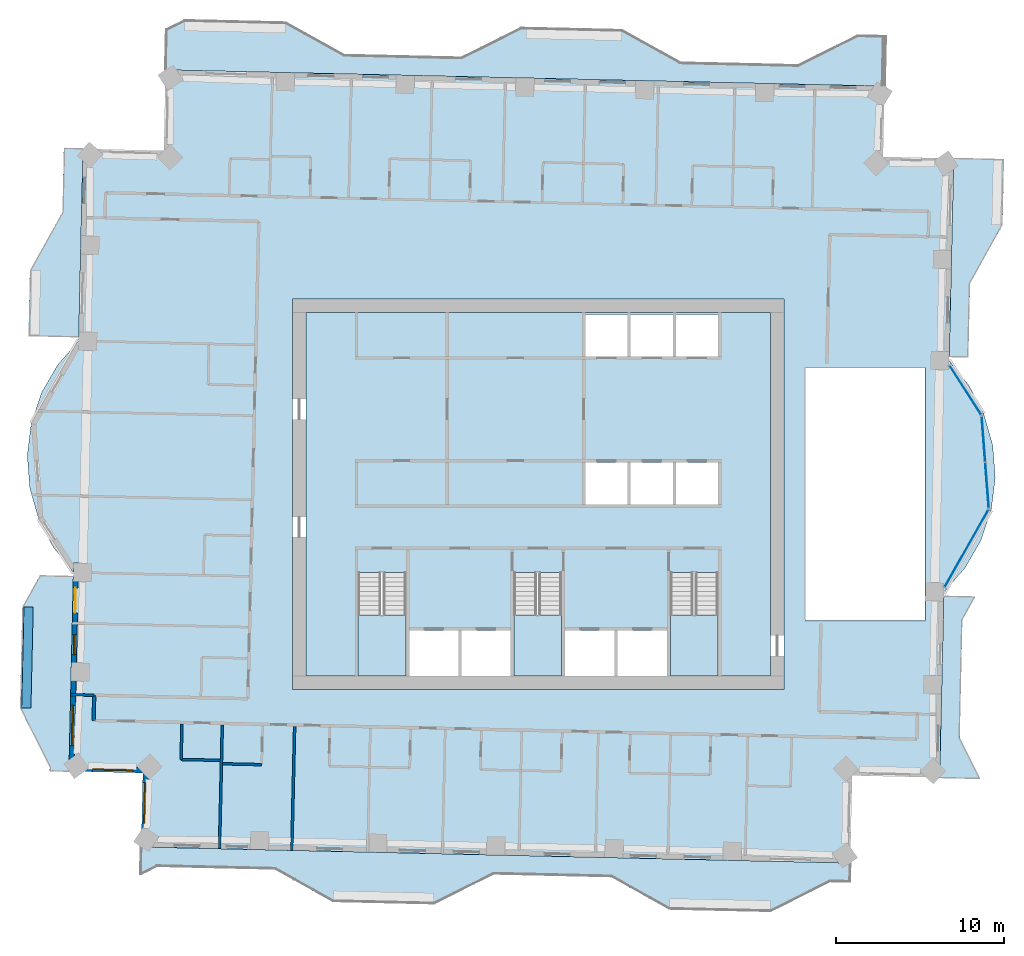
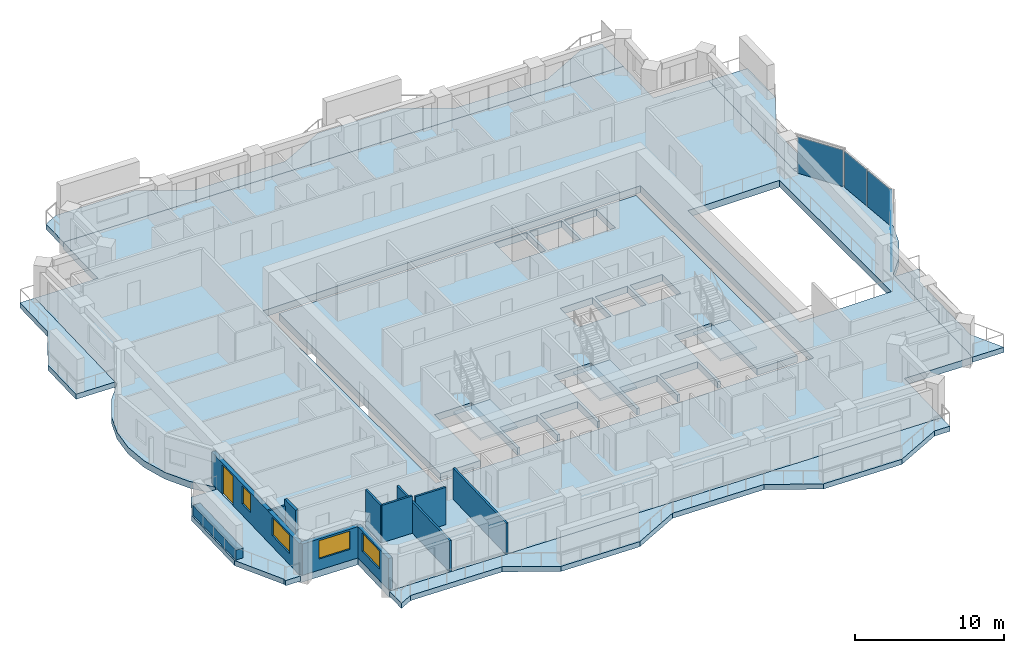
# One storey, part 5 of 16: 11 slabs, 11 walls, 4 plates, 4 windows, 1 door, 5 openings, 6 elements without a shape of their own.
"""IFC4 building model written with IfcOpenShell, lengths in metres."""

from ifc_helpers import new_model, si_unit, direction, frame, frame_2d, origin, origin_2d, place, context, subcontext, project, spatial, polyline, rectangle, outline, extrude, material, layer, layer_set, type_object, element, fill, aggregate, save


model = new_model("IFC4")

# Units and contexts
model_context = context("Model", 3, precision=1e-05, world=origin(), true_north=direction((0.0, 1.0)))
body_context = subcontext(model_context, "Body", "Model", "MODEL_VIEW")
ifc_project = project(units=[si_unit("LENGTHUNIT", "METRE"), si_unit("AREAUNIT", "SQUARE_METRE"), si_unit("VOLUMEUNIT", "CUBIC_METRE"), si_unit("PLANEANGLEUNIT", "RADIAN"), si_unit("MASSUNIT", "GRAM", prefix="KILO")], contexts=[model_context])

# Site, building, storey
site_placement = place(None, origin())
site = spatial("IfcSite", under=ifc_project, at=site_placement, CompositionType="ELEMENT")
building_placement = place(site_placement, origin())
building = spatial("IfcBuilding", under=site, at=building_placement, Name="Mangrove Gate Tower", CompositionType="ELEMENT")
storey_placement = place(building_placement, frame((0.0, 0.0, 212.300048828125)))
storey = spatial("IfcBuildingStorey", under=building, at=storey_placement, Name="L54", CompositionType="ELEMENT", Elevation=212.300048828125)

# Curtain wall, plate
ifc_material_1 = material(Name="Aluminium and glass curtain wall", Category="aluminium")
curtain_wall_type = type_object("IfcCurtainWallType", Name="Atrium garden-court glazing wall", PredefinedType="NOTDEFINED", material=ifc_material_1)
curtain_wall_1_placement = place(storey_placement, origin())
curtain_wall_1 = element("IfcCurtainWall", 1, at=curtain_wall_1_placement, inside=storey, type_object=curtain_wall_type, Name="Atrium garden-court glazing E1f1", PredefinedType="NOTDEFINED")
ifc_material_2 = material(Name="Laminated low-e glass", Category="glass")
ifc_layer_1 = layer(ifc_material_2, 0.031982421875)
ifc_layer_set_1 = layer_set([ifc_layer_1], Name="Atrium garden-court glazing panel 32")
plate_type = type_object("IfcPlateType", Name="Atrium garden-court glazing panel 32", PredefinedType="CURTAIN_PANEL", material=ifc_layer_set_1)
plate_1_placement = place(storey_placement, frame((25.4541015625, -3.217041015625, 0.0), z_axis=(0.0, 0.0, 1.0), x_axis=(0.492599932635, 0.870255885569, 0.0)))
plate_1 = element("IfcPlate", 2, at=plate_1_placement, type_object=plate_type, Name="CWA panel 1.1", PredefinedType="CURTAIN_PANEL", context=body_context, shape_type="SweptSolid", body=[
    extrude(rectangle(XDim=5.258544921875, YDim=0.031982421875, at=origin_2d()), origin(), (0.0, 0.0, 1.0), 2.97998046875),
])
aggregate(curtain_wall_1, [plate_1])

# Curtain wall, plates
curtain_wall_2_placement = place(storey_placement, origin())
curtain_wall_2 = element("IfcCurtainWall", 3, at=curtain_wall_2_placement, inside=storey, type_object=curtain_wall_type, Name="Atrium garden-court glazing E1f2", PredefinedType="NOTDEFINED")
plate_2_placement = place(storey_placement, frame((26.67529296875, 0.538818359375, 0.0), z_axis=(0.0, 0.0, 1.0), x_axis=(-0.077023348229, 0.997029289353, 0.0)))
plate_2 = element("IfcPlate", 4, at=plate_2_placement, type_object=plate_type, Name="CWA panel 1.1", PredefinedType="CURTAIN_PANEL", context=body_context, shape_type="SweptSolid", body=[
    extrude(rectangle(XDim=2.681640625, YDim=0.031982421875, at=origin_2d()), origin(), (0.0, 0.0, 1.0), 2.97998046875),
])
plate_3_placement = place(storey_placement, frame((26.463134765625, 3.2822265625, 0.0), z_axis=(0.0, 0.0, 1.0), x_axis=(-0.077023348229, 0.997029289353, 0.0)))
plate_3 = element("IfcPlate", 5, at=plate_3_placement, type_object=plate_type, Name="CWA panel 2.1", PredefinedType="CURTAIN_PANEL", context=body_context, shape_type="SweptSolid", body=[
    extrude(rectangle(XDim=2.681640625, YDim=0.031982421875, at=origin_2d()), origin(), (0.0, 0.0, 1.0), 2.97998046875),
])
aggregate(curtain_wall_2, [plate_2, plate_3])

# Curtain wall, plate
curtain_wall_3_placement = place(storey_placement, origin())
curtain_wall_3 = element("IfcCurtainWall", 6, at=curtain_wall_3_placement, inside=storey, type_object=curtain_wall_type, Name="Atrium garden-court glazing E1f3", PredefinedType="NOTDEFINED")
plate_4_placement = place(storey_placement, frame((25.389892578125, 6.190185546875, 0.0), z_axis=(0.0, 0.0, 1.0), x_axis=(-0.540523066602, 0.841329195067, 0.0)))
plate_4 = element("IfcPlate", 7, at=plate_4_placement, type_object=plate_type, Name="CWA panel 1.1", PredefinedType="CURTAIN_PANEL", context=body_context, shape_type="SweptSolid", body=[
    extrude(rectangle(XDim=3.428955078125, YDim=0.031982421875, at=origin_2d()), origin(), (0.0, 0.0, 1.0), 2.97998046875),
])
aggregate(curtain_wall_3, [plate_4])

# Slabs
ifc_material_3 = material(Name="Porcelain tile")
ifc_layer_2 = layer(ifc_material_3, 0.02001953125, Name="Tile finish")
ifc_material_4 = material(Name="Cement sand screed")
ifc_layer_3 = layer(ifc_material_4, 0.0400390625, Name="Screed laid to falls")
ifc_material_5 = material(Name="Bituminous waterproofing membrane")
ifc_layer_4 = layer(ifc_material_5, 0.00390625, Name="Waterproofing")
ifc_material_6 = material(Name="Concrete C40/50", Category="concrete")
ifc_layer_5 = layer(ifc_material_6, 0.340087890625, Name="Balcony structural slab")
ifc_material_7 = material(Name="Limestone", Category="masonry")
ifc_layer_6 = layer(ifc_material_7, 0.01611328125, Name="Soffit lining")
ifc_layer_set_2 = layer_set([ifc_layer_2, ifc_layer_3, ifc_layer_4, ifc_layer_5, ifc_layer_6], Name="Balcony slab 420 C40/50")
slab_type_1 = type_object("IfcSlabType", Name="Balcony slab 420 C40/50", PredefinedType="FLOOR", material=ifc_layer_set_2)
slab_1_placement = place(storey_placement, frame((0.0, 0.0, -0.420166015625)))
element("IfcSlab", 8, at=slab_1_placement, inside=storey, type_object=slab_type_1, Name="BALCONY L54 E0", PredefinedType="FLOOR", context=body_context, shape_type="SweptSolid", body=[
    extrude(outline(polyline([(26.26708984375, -16.886962890625), (25.052978515625, -14.458984375), (25.2119140625, -7.4609375), (25.969970703125, -6.10302734375), (24.10400390625, -6.06005859375), (24.072021484375, -7.43505859375), (23.9140625, -14.43310546875), (23.85888671875, -16.83203125), (26.26708984375, -16.886962890625)])), origin(), (0.0, 0.0, 1.0), 0.420166015625),
])
slab_2_placement = place(storey_placement, frame((0.0, 0.0, -0.420166015625)))
element("IfcSlab", 9, at=slab_2_placement, inside=storey, type_object=slab_type_1, Name="BALCONY L54 E1", PredefinedType="FLOOR", context=body_context, shape_type="SweptSolid", body=[
    extrude(outline(polyline([(25.56689453125, 8.160888671875), (25.666015625, 12.533935546875), (27.594970703125, 15.990966796875), (27.68310546875, 19.889892578125), (24.694091796875, 19.9580078125), (24.60595703125, 16.05908203125), (24.52587890625, 12.56005859375), (24.427001953125, 8.18701171875), (25.56689453125, 8.160888671875)])), origin(), (0.0, 0.0, 1.0), 0.420166015625),
])
slab_3_placement = place(storey_placement, frame((0.0, 0.0, -0.420166015625)))
element("IfcSlab", 10, at=slab_3_placement, inside=storey, type_object=slab_type_1, Name="BALCONY L54 N0", PredefinedType="FLOOR", context=body_context, shape_type="SweptSolid", body=[
    extrude(outline(polyline([(20.657958984375, 27.241943359375), (18.987060546875, 27.280029296875), (15.446044921875, 25.509033203125), (8.447021484375, 25.66796875), (4.989990234375, 27.596923828125), (-1.008056640625, 27.73291015625), (-4.549072265625, 25.964111328125), (-11.547119140625, 26.1220703125), (-15.00390625, 28.051025390625), (-21.0029296875, 28.18701171875), (-22.087890625, 27.64501953125), (-22.14208984375, 25.221923828125), (-4.574951171875, 24.822998046875), (8.422119140625, 24.529052734375), (20.590087890625, 24.251953125), (20.657958984375, 27.241943359375)])), origin(), (0.0, 0.0, 1.0), 0.420166015625),
])
slab_4_placement = place(storey_placement, frame((0.0, 0.0, -0.420166015625)))
element("IfcSlab", 11, at=slab_4_placement, inside=storey, type_object=slab_type_1, Name="BALCONY L54 W0", PredefinedType="FLOOR", context=body_context, shape_type="SweptSolid", body=[
    extrude(outline(polyline([(-28.18994140625, 20.55810546875), (-28.27587890625, 16.759033203125), (-30.205078125, 13.302001953125), (-30.29296875, 9.427978515625), (-27.303955078125, 9.360107421875), (-27.216064453125, 13.23388671875), (-27.135986328125, 16.73291015625), (-27.050048828125, 20.531982421875), (-28.18994140625, 20.55810546875)])), origin(), (0.0, 0.0, 1.0), 0.420166015625),
])
slab_5_placement = place(storey_placement, frame((0.0, 0.0, -0.420166015625)))
element("IfcSlab", 12, at=slab_5_placement, inside=storey, type_object=slab_type_1, Name="BALCONY L54 W1", PredefinedType="FLOOR", context=body_context, shape_type="SweptSolid", body=[
    extrude(outline(polyline([(-29.6259765625, -4.841064453125), (-30.658935546875, -6.693115234375), (-30.794921875, -12.69091796875), (-29.02490234375, -16.23193359375), (-29.029052734375, -16.431884765625), (-27.889892578125, -16.4580078125), (-27.885009765625, -16.258056640625), (-27.805908203125, -12.759033203125), (-27.669921875, -6.760986328125), (-27.626953125, -4.886962890625), (-29.6259765625, -4.841064453125)])), origin(), (0.0, 0.0, 1.0), 0.420166015625),
])
slab_6_placement = place(storey_placement, frame((0.0, 0.0, -0.420166015625)))
element("IfcSlab", 13, at=slab_6_placement, inside=storey, type_object=slab_type_1, Name="BALCONY L54 S0", PredefinedType="FLOOR", context=body_context, shape_type="SweptSolid", body=[
    extrude(outline(polyline([(-23.6279296875, -22.610107421875), (-22.64501953125, -22.118896484375), (-15.64599609375, -22.277099609375), (-12.18896484375, -24.2060546875), (-6.19091796875, -24.343017578125), (-2.64990234375, -22.572021484375), (-2.550048828125, -22.574951171875), (4.347900390625, -22.73095703125), (7.805908203125, -24.659912109375), (13.803955078125, -24.7958984375), (17.344970703125, -23.027099609375), (18.51708984375, -23.052978515625), (18.54296875, -21.9130859375), (-23.591064453125, -20.95703125), (-23.6279296875, -22.610107421875)])), origin(), (0.0, 0.0, 1.0), 0.420166015625),
])
ifc_material_8 = material(Name="Concrete C40/50", Category="concrete")
ifc_layer_7 = layer(ifc_material_8, 0.550048828125)
ifc_layer_set_3 = layer_set([ifc_layer_7], Name="Core floor slab 550 C40/50")
slab_type_2 = type_object("IfcSlabType", Name="Core floor slab 550 C40/50", PredefinedType="FLOOR", material=ifc_layer_set_3)
slab_7_placement = place(storey_placement, frame((0.0, 0.0, -0.550048828125)))
element("IfcSlab", 14, at=slab_7_placement, inside=storey, type_object=slab_type_2, Name="SLAB-L54-CORE-1", PredefinedType="FLOOR", context=body_context, shape_type="SweptSolid", body=[
    extrude(outline(polyline([(-13.800048828125, -10.800048828125), (-13.800048828125, 10.800048828125), (13.800048828125, 10.800048828125), (13.800048828125, -10.800048828125), (10.699951171875, -10.800048828125), (10.699951171875, -4.653076171875), (7.85009765625, -4.653076171875), (7.85009765625, -10.800048828125), (7.64990234375, -10.800048828125), (7.64990234375, -8.10009765625), (4.72509765625, -8.10009765625), (4.72509765625, -10.800048828125), (4.52490234375, -10.800048828125), (4.52490234375, -8.10009765625), (1.60009765625, -8.10009765625), (1.60009765625, -10.800048828125), (1.39990234375, -10.800048828125), (1.39990234375, -4.653076171875), (-1.449951171875, -4.653076171875), (-1.449951171875, -10.800048828125), (-1.64990234375, -10.800048828125), (-1.64990234375, -8.10009765625), (-4.550048828125, -8.10009765625), (-4.550048828125, -10.800048828125), (-4.75, -10.800048828125), (-4.75, -8.10009765625), (-7.64990234375, -8.10009765625), (-7.64990234375, -10.800048828125), (-7.85009765625, -10.800048828125), (-7.85009765625, -4.653076171875), (-10.699951171875, -4.653076171875), (-10.699951171875, -10.800048828125), (-13.800048828125, -10.800048828125)]), holes=[polyline([(5.300048828125, -0.60009765625), (5.300048828125, 1.89990234375), (2.800048828125, 1.89990234375), (2.800048828125, -0.60009765625), (5.300048828125, -0.60009765625)]), polyline([(5.300048828125, 10.699951171875), (2.800048828125, 10.699951171875), (2.800048828125, 8.199951171875), (5.300048828125, 8.199951171875), (5.300048828125, 10.699951171875)]), polyline([(8.0, -0.60009765625), (8.0, 1.89990234375), (5.5, 1.89990234375), (5.5, -0.60009765625), (8.0, -0.60009765625)]), polyline([(10.699951171875, -0.60009765625), (10.699951171875, 1.89990234375), (8.199951171875, 1.89990234375), (8.199951171875, -0.60009765625), (10.699951171875, -0.60009765625)]), polyline([(8.0, 8.199951171875), (8.0, 10.699951171875), (5.5, 10.699951171875), (5.5, 8.199951171875), (8.0, 8.199951171875)]), polyline([(10.699951171875, 8.199951171875), (10.699951171875, 10.699951171875), (8.199951171875, 10.699951171875), (8.199951171875, 8.199951171875), (10.699951171875, 8.199951171875)])]), origin(), (0.0, 0.0, 1.0), 0.550048828125),
])

# Stair, slab
ifc_material_9 = material(Name="Concrete C40/50", Category="concrete")
stair_type = type_object("IfcStairType", Name="Core stair 1350", PredefinedType="HALF_TURN_STAIR", material=ifc_material_9)
stair_1_placement = place(storey_placement, origin())
stair_1 = element("IfcStair", 15, at=stair_1_placement, inside=storey, type_object=stair_type, Name="L54 Stair 1", PredefinedType="HALF_TURN_STAIR")
ifc_material_10 = material(Name="Concrete C40/50", Category="concrete")
ifc_layer_8 = layer(ifc_material_10, 0.199951171875)
ifc_layer_set_4 = layer_set([ifc_layer_8], Name="Core stair landing 200")
slab_type_3 = type_object("IfcSlabType", Name="Core stair landing 200", PredefinedType="LANDING", material=ifc_layer_set_4)
slab_8_placement = place(storey_placement, frame((0.0, 0.0, 1.599853515625)))
slab_8 = element("IfcSlab", 16, at=slab_8_placement, type_object=slab_type_3, Name="ST1 landing 1", PredefinedType="LANDING", context=body_context, shape_type="SweptSolid", body=[
    extrude(outline(polyline([(-10.699951171875, -7.169921875), (-10.699951171875, -10.800048828125), (-7.85009765625, -10.800048828125), (-7.85009765625, -7.169921875), (-10.699951171875, -7.169921875)])), origin(), (0.0, 0.0, 1.0), 0.2001953125),
])
aggregate(stair_1, [slab_8])

stair_2_placement = place(storey_placement, origin())
stair_2 = element("IfcStair", 17, at=stair_2_placement, inside=storey, type_object=stair_type, Name="L54 Stair 2", PredefinedType="HALF_TURN_STAIR")
slab_9_placement = place(storey_placement, frame((0.0, 0.0, 1.599853515625)))
slab_9 = element("IfcSlab", 18, at=slab_9_placement, type_object=slab_type_3, Name="ST2 landing 1", PredefinedType="LANDING", context=body_context, shape_type="SweptSolid", body=[
    extrude(outline(polyline([(-1.449951171875, -7.169921875), (-1.449951171875, -10.800048828125), (1.39990234375, -10.800048828125), (1.39990234375, -7.169921875), (-1.449951171875, -7.169921875)])), origin(), (0.0, 0.0, 1.0), 0.2001953125),
])
aggregate(stair_2, [slab_9])

stair_3_placement = place(storey_placement, origin())
stair_3 = element("IfcStair", 19, at=stair_3_placement, inside=storey, type_object=stair_type, Name="L54 Stair 3", PredefinedType="HALF_TURN_STAIR")
slab_10_placement = place(storey_placement, frame((0.0, 0.0, 1.599853515625)))
slab_10 = element("IfcSlab", 20, at=slab_10_placement, type_object=slab_type_3, Name="ST3 landing 1", PredefinedType="LANDING", context=body_context, shape_type="SweptSolid", body=[
    extrude(outline(polyline([(7.85009765625, -7.169921875), (7.85009765625, -10.800048828125), (10.699951171875, -10.800048828125), (10.699951171875, -7.169921875), (7.85009765625, -7.169921875)])), origin(), (0.0, 0.0, 1.0), 0.2001953125),
])
aggregate(stair_3, [slab_10])

# Slab
ifc_material_11 = material(Name="Concrete C40/50", Category="concrete")
ifc_layer_9 = layer(ifc_material_11, 0.550048828125)
ifc_layer_set_5 = layer_set([ifc_layer_9], Name="Floor slab 550 C40/50")
slab_type_4 = type_object("IfcSlabType", Name="Floor slab 550 C40/50", PredefinedType="FLOOR", material=ifc_layer_set_5)
slab_11_placement = place(storey_placement, frame((0.0, 0.0, -0.550048828125)))
element("IfcSlab", 21, at=slab_11_placement, inside=storey, type_object=slab_type_4, Name="Floor slab L54", PredefinedType="FLOOR", context=body_context, shape_type="SweptSolid", body=[
    extrude(outline(polyline([(-23.590576171875, -20.95703125), (18.54248046875, -21.9130859375), (18.66064453125, -16.71435546875), (23.859130859375, -16.832275390625), (24.109375, -5.810546875), (25.372314453125, -4.3740234375), (26.325439453125, -2.715576171875), (26.930908203125, -0.901123046875), (27.16455078125, 0.997314453125), (27.017333984375, 2.904296875), (26.494873046875, 4.744384765625), (25.617919921875, 6.4443359375), (24.42138671875, 7.9365234375), (24.694091796875, 19.958251953125), (20.4951171875, 20.053466796875), (20.590576171875, 24.25244140625), (-22.142578125, 25.22216796875), (-22.25146484375, 20.42333984375), (-27.050048828125, 20.5322265625), (-27.309326171875, 9.110595703125), (-28.572265625, 7.674072265625), (-29.525390625, 6.015625), (-30.130859375, 4.201171875), (-30.364501953125, 2.302734375), (-30.21728515625, 0.395751953125), (-29.69482421875, -1.4443359375), (-28.81787109375, -3.144287109375), (-27.621337890625, -4.636474609375), (-27.8896484375, -16.458251953125), (-23.49072265625, -16.55810546875), (-23.590576171875, -20.95703125)]), holes=[polyline([(15.89990234375, 7.5), (22.9951171875, 7.5), (22.9951171875, -7.5), (15.89990234375, -7.5), (15.89990234375, 7.5)]), polyline([(-14.60009765625, -11.60009765625), (-14.60009765625, 11.60009765625), (14.60009765625, 11.60009765625), (14.60009765625, -11.60009765625), (-14.60009765625, -11.60009765625)])]), origin(), (0.0, 0.0, 1.0), 0.550048828125),
])

# Wall
ifc_material_12 = material(Name="Gypsum board on steel stud, EI 60", Category="steel")
ifc_layer_10 = layer(ifc_material_12, 0.199951171875)
ifc_layer_set_6 = layer_set([ifc_layer_10], Name="Corridor wall EI 60")
wall_type_1 = type_object("IfcWallType", Name="Corridor wall EI 60", PredefinedType="PARTITIONING", material=ifc_layer_set_6)
wall_1_placement = place(storey_placement, frame((-26.4189453125, -13.44091796875, 0.0), z_axis=(0.0, 0.0, 1.0), x_axis=(0.022617910375, 0.999744182344, 0.0)))
element("IfcWall", 22, at=wall_1_placement, inside=storey, type_object=wall_type_1, Name="WALL-L54-025", PredefinedType="PARTITIONING", context=body_context, shape_type="SweptSolid", body=[
    extrude(rectangle(XDim=1.50048828125, YDim=0.199951171875, at=frame_2d((0.750244140625, 0.0))), origin(), (0.0, 0.0, 1.0), 3.050048828125),
])

# Wall, openings, door, windows
ifc_layer_11 = layer(ifc_material_7, 0.0400390625, Name="Limestone cladding")
ifc_material_13 = material(Name="Ventilated air gap")
ifc_layer_12 = layer(ifc_material_13, 0.0400390625, Name="Ventilated cavity")
ifc_material_14 = material(Name="Mineral wool insulation")
ifc_layer_13 = layer(ifc_material_14, 0.06005859375, Name="Insulation")
ifc_material_15 = material(Name="Breather membrane")
ifc_layer_14 = layer(ifc_material_15, 0.001953125, Name="Breather membrane")
ifc_material_16 = material(Name="Concrete C20/25 blockwork", Category="masonry")
ifc_layer_15 = layer(ifc_material_16, 0.14990234375, Name="Blockwork backing wall")
ifc_material_17 = material(Name="Gypsum plaster")
ifc_layer_16 = layer(ifc_material_17, 0.008056640625, Name="Internal plaster")
ifc_layer_set_7 = layer_set([ifc_layer_11, ifc_layer_12, ifc_layer_13, ifc_layer_14, ifc_layer_15, ifc_layer_16], Name="External wall 300 limestone cladding")
wall_type_2 = type_object("IfcWallType", Name="External wall 300 limestone cladding", PredefinedType="SOLIDWALL", material=ifc_layer_set_7)
wall_2_placement = place(storey_placement, frame((-27.458984375, -4.091064453125, 0.0), z_axis=(0.0, 0.0, 1.0), x_axis=(-0.022668325129, -0.999743040504, 0.0)))
wall_2 = element("IfcWall", 23, at=wall_2_placement, inside=storey, type_object=wall_type_2, Name="WALL-L54-W10s1", PredefinedType="SOLIDWALL", context=body_context, shape_type="SweptSolid", body=[
    extrude(rectangle(XDim=12.22412109375, YDim=0.300048828125, at=frame_2d((6.112060546875, 0.0))), origin(), (0.0, 0.0, 1.0), 2.550048828125),
])
opening_1_placement = place(wall_2_placement, frame((1.4619140625, 0.0, 0.0)))
opening_1 = element("IfcOpeningElement", 24, at=opening_1_placement, cuts=wall_2, Name="Opening BD1", PredefinedType="OPENING", context=body_context, shape_type="SweptSolid", body=[
    extrude(rectangle(XDim=1.5, YDim=2.39990234375, at=frame_2d((0.75, 1.199951171875))), frame((0.0, 0.159912109375, 0.0), z_axis=(0.0, -1.0, 0.0), x_axis=(1.0, 0.0, 0.0)), (0.0, 0.0, 1.0), 0.320068359375),
])
opening_2_placement = place(wall_2_placement, frame((4.242919921875, 0.0, 0.89990234375)))
opening_2 = element("IfcOpeningElement", 25, at=opening_2_placement, cuts=wall_2, Name="Opening W1", PredefinedType="OPENING", context=body_context, shape_type="SweptSolid", body=[
    extrude(rectangle(XDim=1.199951171875, YDim=1.5, at=frame_2d((0.60009765625, 0.75))), frame((0.0, 0.159912109375, 0.0), z_axis=(0.0, -1.0, 0.0), x_axis=(1.0, 0.0, 0.0)), (0.0, 0.0, 1.0), 0.320068359375),
])
opening_3_placement = place(wall_2_placement, frame((8.449951171875, 0.0, 0.89990234375)))
opening_3 = element("IfcOpeningElement", 26, at=opening_3_placement, cuts=wall_2, Name="Opening W2", PredefinedType="OPENING", context=body_context, shape_type="SweptSolid", body=[
    extrude(rectangle(XDim=2.39990234375, YDim=1.5, at=frame_2d((1.199951171875, 0.75))), frame((0.0, 0.159912109375, 0.0), z_axis=(0.0, -1.0, 0.0), x_axis=(1.0, 0.0, 0.0)), (0.0, 0.0, 1.0), 0.320068359375),
])
ifc_material_18 = material(Name="Aluminium frame with laminated clear glass", Category="aluminium")
door_type = type_object("IfcDoorType", Name="Balcony sliding door 1500x2400", OperationType="SLIDING_TO_LEFT", PredefinedType="DOOR", material=ifc_material_18)
door_placement = place(opening_1_placement, origin())
door = element("IfcDoor", 27, at=door_placement, inside=storey, type_object=door_type, Name="DOOR-L54-W10-1", OperationType="SLIDING_TO_LEFT", OverallHeight=2.39990234375, OverallWidth=1.5, PredefinedType="DOOR", context=body_context, shape_type="SweptSolid", body=[
    extrude(rectangle(XDim=1.5, YDim=2.39990234375, at=frame_2d((0.75, 1.199951171875))), frame((0.0, 0.02490234375, 0.0), z_axis=(0.0, -1.0, 0.0), x_axis=(1.0, 0.0, 0.0)), (0.0, 0.0, 1.0), 0.050048828125),
])
fill(opening_1, door)
ifc_material_19 = material(Name="Aluminium frame with double-glazed low-e glass", Category="aluminium")
window_type_1 = type_object("IfcWindowType", Name="Corner room window 2400x1500", PartitioningType="DOUBLE_PANEL_VERTICAL", PredefinedType="WINDOW", material=ifc_material_19)
window_1_placement = place(opening_3_placement, origin())
window_1 = element("IfcWindow", 28, at=window_1_placement, inside=storey, type_object=window_type_1, Name="WIN-L54-W10-3", OverallHeight=1.5, OverallWidth=2.39990234375, PartitioningType="DOUBLE_PANEL_VERTICAL", PredefinedType="WINDOW", context=body_context, shape_type="SweptSolid", body=[
    extrude(rectangle(XDim=2.39990234375, YDim=1.5, at=frame_2d((1.199951171875, 0.75))), frame((0.0, 0.030029296875, 0.0), z_axis=(0.0, -1.0, 0.0), x_axis=(1.0, 0.0, 0.0)), (0.0, 0.0, 1.0), 0.06005859375),
])
fill(opening_3, window_1)
ifc_material_20 = material(Name="Aluminium frame with double-glazed low-e glass", Category="aluminium")
window_type_2 = type_object("IfcWindowType", Name="Side lite 1200x1500", PartitioningType="SINGLE_PANEL", PredefinedType="WINDOW", material=ifc_material_20)
window_2_placement = place(opening_2_placement, origin())
window_2 = element("IfcWindow", 29, at=window_2_placement, inside=storey, type_object=window_type_2, Name="WIN-L54-W10-2", OverallHeight=1.5, OverallWidth=1.199951171875, PartitioningType="SINGLE_PANEL", PredefinedType="WINDOW", context=body_context, shape_type="SweptSolid", body=[
    extrude(rectangle(XDim=1.199951171875, YDim=1.5, at=frame_2d((0.60009765625, 0.75))), frame((0.0, 0.030029296875, 0.0), z_axis=(0.0, -1.0, 0.0), x_axis=(1.0, 0.0, 0.0)), (0.0, 0.0, 1.0), 0.06005859375),
])
fill(opening_2, window_2)

# Wall, opening, window
wall_3_placement = place(storey_placement, frame((-27.736083984375, -16.31201171875, 0.0), z_axis=(0.0, 0.0, 1.0), x_axis=(0.999747504193, -0.022470599878, 0.0)))
wall_3 = element("IfcWall", 30, at=wall_3_placement, inside=storey, type_object=wall_type_2, Name="WALL-L54-S11", PredefinedType="SOLIDWALL", context=body_context, shape_type="SweptSolid", body=[
    extrude(rectangle(XDim=4.400390625, YDim=0.300048828125, at=frame_2d((2.2001953125, 0.0))), origin(), (0.0, 0.0, 1.0), 2.550048828125),
])
opening_4_placement = place(wall_3_placement, frame((1.260986328125, 0.0, 0.89990234375)))
opening_4 = element("IfcOpeningElement", 31, at=opening_4_placement, cuts=wall_3, Name="Opening W2", PredefinedType="OPENING", context=body_context, shape_type="SweptSolid", body=[
    extrude(rectangle(XDim=2.39990234375, YDim=1.5, at=frame_2d((1.199951171875, 0.75))), frame((0.0, 0.159912109375, 0.0), z_axis=(0.0, -1.0, 0.0), x_axis=(1.0, 0.0, 0.0)), (0.0, 0.0, 1.0), 0.320068359375),
])
window_3_placement = place(opening_4_placement, origin())
window_3 = element("IfcWindow", 32, at=window_3_placement, inside=storey, type_object=window_type_1, Name="WIN-L54-S11-1", OverallHeight=1.5, OverallWidth=2.39990234375, PartitioningType="DOUBLE_PANEL_VERTICAL", PredefinedType="WINDOW", context=body_context, shape_type="SweptSolid", body=[
    extrude(rectangle(XDim=2.39990234375, YDim=1.5, at=frame_2d((1.199951171875, 0.75))), frame((0.0, 0.030029296875, 0.0), z_axis=(0.0, -1.0, 0.0), x_axis=(1.0, 0.0, 0.0)), (0.0, 0.0, 1.0), 0.06005859375),
])
fill(opening_4, window_3)

wall_4_placement = place(storey_placement, frame((-23.3369140625, -16.410888671875, 0.0), z_axis=(0.0, 0.0, 1.0), x_axis=(-0.022747872013, -0.999741233679, 0.0)))
wall_4 = element("IfcWall", 33, at=wall_4_placement, inside=storey, type_object=wall_type_2, Name="WALL-L54-W12", PredefinedType="SOLIDWALL", context=body_context, shape_type="SweptSolid", body=[
    extrude(rectangle(XDim=4.400390625, YDim=0.300048828125, at=frame_2d((2.2001953125, 0.0))), origin(), (0.0, 0.0, 1.0), 2.550048828125),
])
opening_5_placement = place(wall_4_placement, frame((0.73193359375, 0.0, 0.89990234375)))
opening_5 = element("IfcOpeningElement", 34, at=opening_5_placement, cuts=wall_4, Name="Opening W2", PredefinedType="OPENING", context=body_context, shape_type="SweptSolid", body=[
    extrude(rectangle(XDim=2.39990234375, YDim=1.5, at=frame_2d((1.199951171875, 0.75))), frame((0.0, 0.159912109375, 0.0), z_axis=(0.0, -1.0, 0.0), x_axis=(1.0, 0.0, 0.0)), (0.0, 0.0, 1.0), 0.320068359375),
])
window_4_placement = place(opening_5_placement, origin())
window_4 = element("IfcWindow", 35, at=window_4_placement, inside=storey, type_object=window_type_1, Name="WIN-L54-W12-1", OverallHeight=1.5, OverallWidth=2.39990234375, PartitioningType="DOUBLE_PANEL_VERTICAL", PredefinedType="WINDOW", context=body_context, shape_type="SweptSolid", body=[
    extrude(rectangle(XDim=2.39990234375, YDim=1.5, at=frame_2d((1.199951171875, 0.75))), frame((0.0, 0.030029296875, 0.0), z_axis=(0.0, -1.0, 0.0), x_axis=(1.0, 0.0, 0.0)), (0.0, 0.0, 1.0), 0.06005859375),
])
fill(opening_5, window_4)

# Walls
ifc_material_21 = material(Name="Gypsum board on steel stud, EI 60", Category="steel")
ifc_layer_17 = layer(ifc_material_21, 0.14990234375)
ifc_layer_set_8 = layer_set([ifc_layer_17], Name="Party wall 150 EI 60")
wall_type_3 = type_object("IfcWallType", Name="Party wall 150 EI 60", PredefinedType="PARTITIONING", material=ifc_layer_set_8)
for number, where, z_axis, x_axis, name in (
    (36, (-18.93994140625, -21.06201171875, 0.0), (0.0, 0.0, 1.0), (0.022720650804, 0.999741852694, 0.0), "WALL-L54-001"),
    (37, (-14.64111328125, -21.159912109375, 0.0), (0.0, 0.0, 1.0), (0.022720650804, 0.999741852694, 0.0), "WALL-L54-002"),
):
    element("IfcWall", number, at=place(storey_placement, frame(where, z_axis=z_axis, x_axis=x_axis)), inside=storey, type_object=wall_type_3, Name=name, PredefinedType="PARTITIONING", context=body_context, shape_type="SweptSolid", body=[
        extrude(rectangle(XDim=7.349853515625, YDim=0.14990234375, at=frame_2d((3.6748046875, 0.0))), origin(), (0.0, 0.0, 1.0), 2.550048828125),
    ])
for number, where, z_axis, x_axis, name in (
    (38, (-18.751953125, -16.014892578125, 0.0), (0.0, 0.0, 1.0), (0.999737862264, -0.022895561926, 0.0), "WALL-L54-011"),
    (39, (-21.221923828125, -15.759033203125, 0.0), (0.0, 0.0, 1.0), (0.999740260747, -0.02279059109, 0.0), "WALL-L54-022"),
):
    element("IfcWall", number, at=place(storey_placement, frame(where, z_axis=z_axis, x_axis=x_axis)), inside=storey, type_object=wall_type_3, Name=name, PredefinedType="PARTITIONING", context=body_context, shape_type="SweptSolid", body=[
        extrude(rectangle(XDim=2.324462890625, YDim=0.14990234375, at=frame_2d((1.162109375, 0.0))), origin(), (0.0, 0.0, 1.0), 3.050048828125),
    ])
wall_5_placement = place(storey_placement, frame((-21.219970703125, -15.759033203125, 0.0), z_axis=(0.0, 0.0, 1.0), x_axis=(0.02279007832, 0.999740272436, 0.0)))
element("IfcWall", 40, at=wall_5_placement, inside=storey, type_object=wall_type_3, Name="WALL-L54-023", PredefinedType="PARTITIONING", context=body_context, shape_type="SweptSolid", body=[
    extrude(rectangle(XDim=2.099609375, YDim=0.14990234375, at=frame_2d((1.0498046875, 0.0))), origin(), (0.0, 0.0, 1.0), 3.050048828125),
])
wall_6_placement = place(storey_placement, frame((-27.785888671875, -11.908935546875, 0.0), z_axis=(0.0, 0.0, 1.0), x_axis=(0.999740216184, -0.022792545827, 0.0)))
element("IfcWall", 41, at=wall_6_placement, inside=storey, type_object=wall_type_3, Name="WALL-L54-027", PredefinedType="PARTITIONING", context=body_context, shape_type="SweptSolid", body=[
    extrude(rectangle(XDim=1.403076171875, YDim=0.14990234375, at=frame_2d((0.70166015625, 0.0))), origin(), (0.0, 0.0, 1.0), 2.550048828125),
])
ifc_material_22 = material(Name="Concrete C32/40", Category="concrete")
ifc_layer_18 = layer(ifc_material_22, 0.199951171875, Name="Planter trough wall")
ifc_layer_19 = layer(ifc_material_5, 0.0048828125, Name="Waterproofing")
ifc_material_23 = material(Name="Drainage board and gravel")
ifc_layer_20 = layer(ifc_material_23, 0.044921875, Name="Drainage layer")
ifc_material_24 = material(Name="Planting soil")
ifc_layer_21 = layer(ifc_material_24, 0.300048828125, Name="Growing medium")
ifc_layer_set_9 = layer_set([ifc_layer_18, ifc_layer_19, ifc_layer_20, ifc_layer_21], Name="Planter wall 550 C32/40")
wall_type_4 = type_object("IfcWallType", Name="Planter wall 550 C32/40", PredefinedType="USERDEFINED", material=ifc_layer_set_9)
wall_7_placement = place(storey_placement, frame((-30.419921875, -12.699951171875, 0.0), z_axis=(0.0, 0.0, 1.0), x_axis=(0.022662255828, 0.999743178102, 0.0)))
element("IfcWall", 42, at=wall_7_placement, inside=storey, type_object=wall_type_4, Name="PLANTER L54 W1.1", ObjectType="PLANTER", PredefinedType="USERDEFINED", context=body_context, shape_type="SweptSolid", body=[
    extrude(rectangle(XDim=6.00048828125, YDim=0.550048828125, at=frame_2d((3.000244140625, 0.0))), origin(), (0.0, 0.0, 1.0), 0.800048828125),
])

save(model, "model.ifc")
